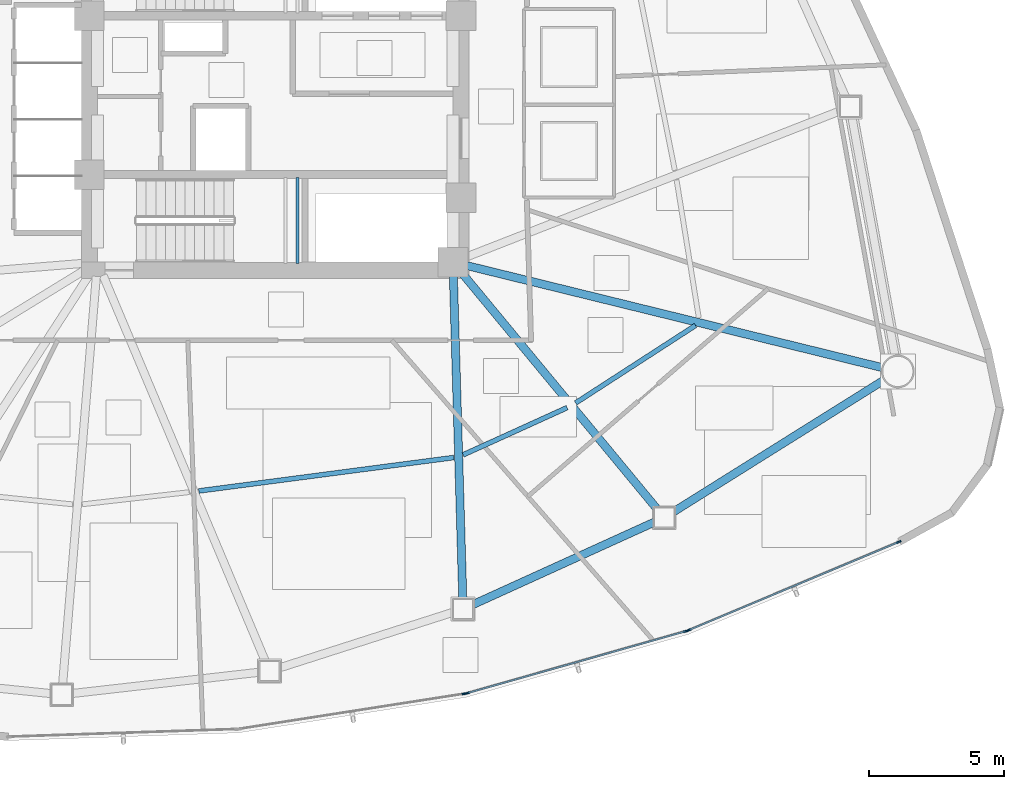
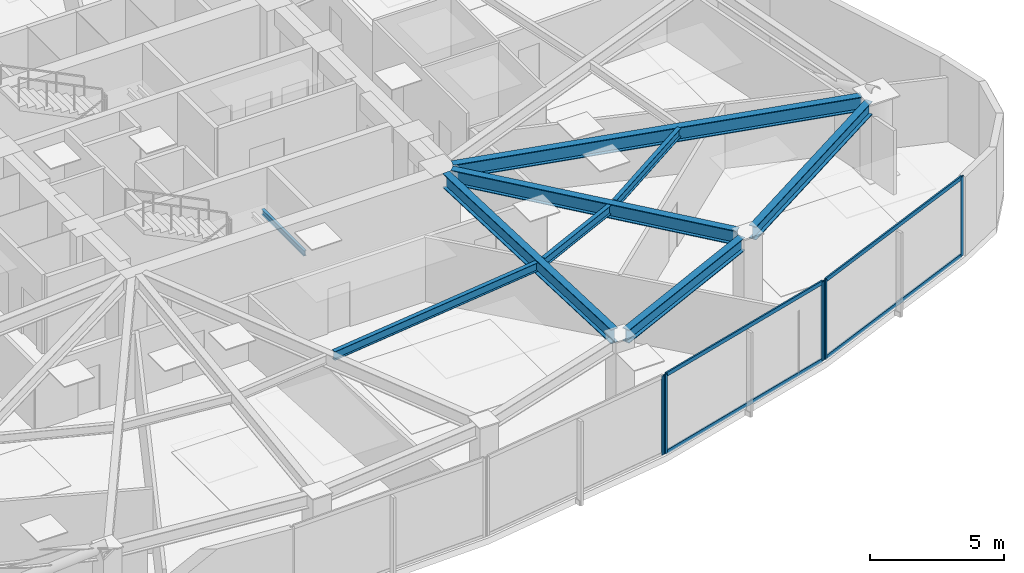
# One storey, part 6 of 18: 9 beams, 9 members, 3 elements without a shape of their own.
"""IFC4 building model written with IfcOpenShell, lengths in metres."""

from ifc_helpers import new_model, si_unit, direction, frame, origin, origin_2d, place, context, subcontext, project, spatial, hollow_rectangle, i_section, extrude, source, transform, mapped, material, layer, layer_set, material_profile, profile_set, type_object, type_shapes, element, aggregate, save


model = new_model("IFC4")

# Units and contexts
model_context = context("Model", 3, precision=1e-05, world=origin(), true_north=direction((0.0, 1.0)))
body_context = subcontext(model_context, "Body", "Model", "MODEL_VIEW")
ifc_project = project(units=[si_unit("LENGTHUNIT", "METRE"), si_unit("AREAUNIT", "SQUARE_METRE"), si_unit("VOLUMEUNIT", "CUBIC_METRE"), si_unit("PLANEANGLEUNIT", "RADIAN"), si_unit("MASSUNIT", "GRAM", prefix="KILO")], contexts=[model_context])

# Site, building, storey
site_placement = place(None, origin())
site = spatial("IfcSite", under=ifc_project, at=site_placement, CompositionType="ELEMENT")
building_placement = place(site_placement, origin())
building = spatial("IfcBuilding", under=site, at=building_placement, Name="Tavelor Broadcast Tower", CompositionType="ELEMENT")
storey_placement = place(building_placement, frame((0.0, 0.0, 47.10009765625)))
storey = spatial("IfcBuildingStorey", under=building, at=storey_placement, Name="L10", CompositionType="ELEMENT", Elevation=47.10009765625)

# Beams
ifc_material_1 = material(Name="Steel S355", Category="steel")
ifc_material_profile_1 = material_profile(ifc_material_1, i_section(OverallWidth=0.179931640625, OverallDepth=0.39990234375, WebThickness=0.008544921875, FlangeThickness=0.013427734375, at=origin_2d()), Name="IPE 400")
ifc_profile_set_1 = profile_set([ifc_material_profile_1], Name="Steel S355")
beam_type_1 = type_object("IfcBeamType", Name="Composite Floor Joist T1 IPE 400", PredefinedType="JOIST", material=ifc_profile_set_1)
beam_1_placement = place(storey_placement, frame((47.16259765625, 30.3056640625, 3.39990234375), z_axis=(0.991514230948, 0.129998191635, 0.0), x_axis=(-0.129998191635, 0.991514230948, 0.0)))
element("IfcBeam", 1, at=beam_1_placement, inside=storey, type_object=beam_type_1, Name="L10 Secondary Composite Floor Joist 10", PredefinedType="JOIST", context=body_context, shape_type="SweptSolid", body=[
    extrude(i_section(OverallWidth=0.179931640625, OverallDepth=0.39990234375, WebThickness=0.008544921875, FlangeThickness=0.013427734375, at=origin_2d()), origin(), (0.0, 0.0, 1.0), 9.5498046875),
])
beam_2_placement = place(storey_placement, frame((56.9755859375, 31.6455078125, 3.39990234375), z_axis=(0.910480737696, 0.413551479607, 0.0), x_axis=(-0.413551479607, 0.910480737696, 0.0)))
element("IfcBeam", 2, at=beam_2_placement, inside=storey, type_object=beam_type_1, Name="L10 Secondary Composite Floor Joist 11", PredefinedType="JOIST", context=body_context, shape_type="SweptSolid", body=[
    extrude(i_section(OverallWidth=0.179931640625, OverallDepth=0.39990234375, WebThickness=0.008544921875, FlangeThickness=0.013427734375, at=origin_2d()), origin(), (0.0, 0.0, 1.0), 4.242919921875),
])
beam_3_placement = place(storey_placement, frame((61.1552734375, 33.573486328125, 3.39990234375), z_axis=(0.839582514508, 0.543232179949, 0.0), x_axis=(-0.543232179949, 0.839582514508, 0.0)))
element("IfcBeam", 3, at=beam_3_placement, inside=storey, type_object=beam_type_1, Name="L10 Secondary Composite Floor Joist 12", PredefinedType="JOIST", context=body_context, shape_type="SweptSolid", body=[
    extrude(i_section(OverallWidth=0.179931640625, OverallDepth=0.39990234375, WebThickness=0.008544921875, FlangeThickness=0.013427734375, at=origin_2d()), origin(), (0.0, 0.0, 1.0), 5.300537109375),
])
ifc_material_profile_2 = material_profile(ifc_material_1, i_section(OverallWidth=0.300048828125, OverallDepth=0.60009765625, WebThickness=0.015380859375, FlangeThickness=0.030029296875, at=origin_2d()), Name="HEB 600")
ifc_profile_set_2 = profile_set([ifc_material_profile_2], Name="Steel S355")
beam_type_2 = type_object("IfcBeamType", Name="Perimeter Spandrel Beam T1 HEB 600", PredefinedType="SPANDREL", material=ifc_profile_set_2)
beam_4_placement = place(storey_placement, frame((57.324951171875, 26.080322265625, 3.2998046875), z_axis=(0.910424944341, 0.413674293039, 0.0), x_axis=(-0.413674293039, 0.910424944341, 0.0)))
element("IfcBeam", 4, at=beam_4_placement, inside=storey, type_object=beam_type_2, Name="L10 Framed-Tube Ring Spandrel 11", PredefinedType="SPANDREL", context=body_context, shape_type="SweptSolid", body=[
    extrude(i_section(OverallWidth=0.300048828125, OverallDepth=0.60009765625, WebThickness=0.015380859375, FlangeThickness=0.030029296875, at=origin_2d()), origin(), (0.0, 0.0, 1.0), 7.43505859375),
])
beam_5_placement = place(storey_placement, frame((64.76904296875, 29.518798828125, 3.2998046875), z_axis=(0.847667977469, 0.530527096361, 0.0), x_axis=(-0.530527096361, 0.847667977469, 0.0)))
element("IfcBeam", 5, at=beam_5_placement, inside=storey, type_object=beam_type_2, Name="L10 Framed-Tube Ring Spandrel 12", PredefinedType="SPANDREL", context=body_context, shape_type="SweptSolid", body=[
    extrude(i_section(OverallWidth=0.300048828125, OverallDepth=0.60009765625, WebThickness=0.015380859375, FlangeThickness=0.030029296875, at=origin_2d()), origin(), (0.0, 0.0, 1.0), 9.263916015625),
])
ifc_material_profile_3 = material_profile(ifc_material_1, i_section(OverallWidth=0.300048828125, OverallDepth=0.64990234375, WebThickness=0.01611328125, FlangeThickness=0.031005859375, at=origin_2d()), Name="HEB 650")
ifc_profile_set_3 = profile_set([ifc_material_profile_3], Name="Steel S355")
beam_type_3 = type_object("IfcBeamType", Name="Radial Floor Girder T1 HEB 650", PredefinedType="BEAM", material=ifc_profile_set_3)
beam_6_placement = place(storey_placement, frame((56.615478515625, 38.272216796875, 3.27490234375), z_axis=(0.02912098859, -0.999575894079, 0.0), x_axis=(0.999575894079, 0.02912098859, 0.0)))
element("IfcBeam", 6, at=beam_6_placement, inside=storey, type_object=beam_type_3, Name="L10 Radial Primary Floor Girder 11", PredefinedType="BEAM", context=body_context, shape_type="SweptSolid", body=[
    extrude(i_section(OverallWidth=0.300048828125, OverallDepth=0.64990234375, WebThickness=0.01611328125, FlangeThickness=0.031005859375, at=origin_2d()), origin(), (0.0, 0.0, 1.0), 11.971923828125),
])
beam_7_placement = place(storey_placement, frame((56.9365234375, 38.39306640625, 3.27490234375), z_axis=(0.63726338108, -0.770646081632, 0.0), x_axis=(0.770646081632, 0.63726338108, 0.0)))
element("IfcBeam", 7, at=beam_7_placement, inside=storey, type_object=beam_type_3, Name="L10 Radial Primary Floor Girder 12", PredefinedType="BEAM", context=body_context, shape_type="SweptSolid", body=[
    extrude(i_section(OverallWidth=0.300048828125, OverallDepth=0.64990234375, WebThickness=0.01611328125, FlangeThickness=0.031005859375, at=origin_2d()), origin(), (0.0, 0.0, 1.0), 11.39599609375),
])
beam_8_placement = place(storey_placement, frame((57.11279296875, 38.674072265625, 3.27490234375), z_axis=(0.971150402203, -0.23846780978, 0.0), x_axis=(0.23846780978, 0.971150402203, 0.0)))
element("IfcBeam", 8, at=beam_8_placement, inside=storey, type_object=beam_type_3, Name="L10 Radial Primary Floor Girder 13", PredefinedType="BEAM", context=body_context, shape_type="SweptSolid", body=[
    extrude(i_section(OverallWidth=0.300048828125, OverallDepth=0.64990234375, WebThickness=0.01611328125, FlangeThickness=0.031005859375, at=origin_2d()), origin(), (0.0, 0.0, 1.0), 15.895263671875),
])
ifc_material_profile_4 = material_profile(ifc_material_1, i_section(OverallWidth=0.1201171875, OverallDepth=0.239990234375, WebThickness=0.006103515625, FlangeThickness=0.009765625, at=origin_2d()), Name="IPE 240")
ifc_profile_set_4 = profile_set([ifc_material_profile_4], Name="Steel S355")
beam_type_4 = type_object("IfcBeamType", Name="Stairwell Landing Support Trimmer Beam IPE240", PredefinedType="BEAM", material=ifc_profile_set_4)
beam_9_placement = place(storey_placement, frame((50.824951171875, 38.760009765625, 1.635009765625), z_axis=(0.0, 1.0, 0.0), x_axis=(-1.0, 0.0, 0.0)))
element("IfcBeam", 9, at=beam_9_placement, inside=storey, type_object=beam_type_4, Name="L10 Stair Landing Support Beam 260", PredefinedType="BEAM", context=body_context, shape_type="SweptSolid", body=[
    extrude(i_section(OverallWidth=0.1201171875, OverallDepth=0.239990234375, WebThickness=0.006103515625, FlangeThickness=0.009765625, at=origin_2d()), origin(), (0.0, 0.0, 1.0), 3.179931640625),
])

# Curtain wall, member
ifc_material_2 = material(Name="Architectural Anodized Aluminium", Category="aluminium")
ifc_layer = layer(ifc_material_2, 0.179931640625)
ifc_layer_set = layer_set([ifc_layer], Name="Architectural Anodized Aluminium")
curtain_wall_type = type_object("IfcCurtainWallType", Name="Tower Low-Zone Unitised Curtain Wall CW02", PredefinedType="NOTDEFINED", material=ifc_layer_set)
curtain_wall_1_placement = place(storey_placement, origin())
curtain_wall_1 = element("IfcCurtainWall", 10, at=curtain_wall_1_placement, inside=storey, type_object=curtain_wall_type, Name="L10 Curtain Wall CW02 Run 78", PredefinedType="NOTDEFINED")
ifc_material_profile_5 = material_profile(ifc_material_2, hollow_rectangle(XDim=0.06494140625, YDim=0.179931640625, WallThickness=0.02197265625, at=origin_2d()), Name="RHS 65x180x22")
ifc_profile_set_5 = profile_set([ifc_material_profile_5], Name="Architectural Anodized Aluminium")
member_type_1 = type_object("IfcMemberType", Name="CW02 Extruded Aluminium Mullion 65x180", PredefinedType="MULLION", material=ifc_profile_set_5)
shared_shape_1 = source(origin(), body_context, "Body", "SweptSolid", [
    extrude(hollow_rectangle(XDim=0.06494140625, YDim=0.179931640625, WallThickness=0.02197265625, at=origin_2d()), origin(), (0.0, 0.0, 1.0), 3.599853515625),
])
type_shapes(member_type_1, [shared_shape_1])
member_1_placement = place(storey_placement, frame((57.02587890625, 22.774658203125, 0.0), z_axis=(0.0, 0.0, 1.0), x_axis=(-0.154288089461, 0.988025903229, 0.0)))
member_1 = element("IfcMember", 11, at=member_1_placement, type_object=member_type_1, Name="CW02 mullion 2", PredefinedType="MULLION", context=body_context, shape_type="MappedRepresentation", body=[
    mapped(shared_shape_1, transform((0.0, 0.0, 0.0), scale=1.0)),
])
aggregate(curtain_wall_1, [member_1])

# Curtain wall, members
curtain_wall_2_placement = place(storey_placement, origin())
curtain_wall_2 = element("IfcCurtainWall", 12, at=curtain_wall_2_placement, inside=storey, type_object=curtain_wall_type, Name="L10 Curtain Wall CW02 Run 79", PredefinedType="NOTDEFINED")
member_2_placement = place(storey_placement, frame((57.11865234375, 22.794921875, 0.0), z_axis=(0.0, 0.0, 1.0), x_axis=(-0.272722440791, 0.962092755554, 0.0)))
member_2 = element("IfcMember", 13, at=member_2_placement, type_object=member_type_1, Name="CW02 mullion 1", PredefinedType="MULLION", context=body_context, shape_type="MappedRepresentation", body=[
    mapped(shared_shape_1, transform((0.0, 0.0, 0.0), scale=1.0)),
])
member_3_placement = place(storey_placement, frame((65.25341796875, 25.100830078125, 0.0), z_axis=(0.0, 0.0, 1.0), x_axis=(-0.272722440791, 0.962092755554, 0.0)))
member_3 = element("IfcMember", 14, at=member_3_placement, type_object=member_type_1, Name="CW02 mullion 2", PredefinedType="MULLION", context=body_context, shape_type="MappedRepresentation", body=[
    mapped(shared_shape_1, transform((0.0, 0.0, 0.0), scale=1.0)),
])

curtain_wall_3_placement = place(storey_placement, origin())
curtain_wall_3 = element("IfcCurtainWall", 15, at=curtain_wall_3_placement, inside=storey, type_object=curtain_wall_type, Name="L10 Curtain Wall CW02 Run 80", PredefinedType="NOTDEFINED")
member_4_placement = place(storey_placement, frame((65.343017578125, 25.13232421875, 0.0), z_axis=(0.0, 0.0, 1.0), x_axis=(-0.387137680786, 0.922021917373, 0.0)))
member_4 = element("IfcMember", 16, at=member_4_placement, type_object=member_type_1, Name="CW02 mullion 1", PredefinedType="MULLION", context=body_context, shape_type="MappedRepresentation", body=[
    mapped(shared_shape_1, transform((0.0, 0.0, 0.0), scale=1.0)),
])
member_5_placement = place(storey_placement, frame((73.153564453125, 28.411865234375, 0.0), z_axis=(0.0, 0.0, 1.0), x_axis=(-0.387137680786, 0.922021917373, 0.0)))
member_5 = element("IfcMember", 17, at=member_5_placement, type_object=member_type_1, Name="CW02 mullion 2", PredefinedType="MULLION", context=body_context, shape_type="MappedRepresentation", body=[
    mapped(shared_shape_1, transform((0.0, 0.0, 0.0), scale=1.0)),
])

# Member
ifc_material_profile_6 = material_profile(ifc_material_2, hollow_rectangle(XDim=0.06494140625, YDim=0.179931640625, WallThickness=0.02197265625, at=origin_2d()), Name="RHS 65x180x22")
ifc_profile_set_6 = profile_set([ifc_material_profile_6], Name="Architectural Anodized Aluminium")
member_type_2 = type_object("IfcMemberType", Name="CW02 Extruded Aluminium Transom 65x180", PredefinedType="USERDEFINED", material=ifc_profile_set_6)
shared_shape_2 = source(origin(), body_context, "Body", "SweptSolid", [
    extrude(hollow_rectangle(XDim=0.06494140625, YDim=0.179931640625, WallThickness=0.02197265625, at=origin_2d()), origin(), (0.0, 0.0, 1.0), 8.390380859375),
])
member_6_placement = place(storey_placement, frame((57.14990234375, 22.8037109375, 0.032470703125), z_axis=(0.962089576355, 0.272733655915, 0.0), x_axis=(-0.272733655915, 0.962089576355, 0.0)))
member_6 = element("IfcMember", 18, at=member_6_placement, type_object=member_type_2, Name="CW02 transom 1.1", ObjectType="TRANSOM", PredefinedType="USERDEFINED", context=body_context, shape_type="MappedRepresentation", body=[
    mapped(shared_shape_2, transform((0.0, 0.0, 0.0), scale=1.0)),
])

member_7_placement = place(storey_placement, frame((57.14990234375, 22.8037109375, 3.5673828125), z_axis=(0.962089576355, 0.272733655915, 0.0), x_axis=(-0.272733655915, 0.962089576355, 0.0)))
member_7 = element("IfcMember", 19, at=member_7_placement, type_object=member_type_2, Name="CW02 transom 1.2", ObjectType="TRANSOM", PredefinedType="USERDEFINED", context=body_context, shape_type="MappedRepresentation", body=[
    mapped(shared_shape_2, transform((0.0, 0.0, 0.0), scale=1.0)),
])

aggregate(curtain_wall_2, [member_2, member_3, member_6, member_7])

shared_shape_3 = source(origin(), body_context, "Body", "SweptSolid", [
    extrude(hollow_rectangle(XDim=0.06494140625, YDim=0.179931640625, WallThickness=0.02197265625, at=origin_2d()), origin(), (0.0, 0.0, 1.0), 8.40625),
])
type_shapes(member_type_2, [shared_shape_2, shared_shape_3])
member_8_placement = place(storey_placement, frame((65.373046875, 25.144775390625, 0.032470703125), z_axis=(0.922020880639, 0.387140149901, 0.0), x_axis=(-0.387140149901, 0.922020880639, 0.0)))
member_8 = element("IfcMember", 20, at=member_8_placement, type_object=member_type_2, Name="CW02 transom 1.1", ObjectType="TRANSOM", PredefinedType="USERDEFINED", context=body_context, shape_type="MappedRepresentation", body=[
    mapped(shared_shape_3, transform((0.0, 0.0, 0.0), scale=1.0)),
])

member_9_placement = place(storey_placement, frame((65.373046875, 25.144775390625, 3.5673828125), z_axis=(0.922020880639, 0.387140149901, 0.0), x_axis=(-0.387140149901, 0.922020880639, 0.0)))
member_9 = element("IfcMember", 21, at=member_9_placement, type_object=member_type_2, Name="CW02 transom 1.2", ObjectType="TRANSOM", PredefinedType="USERDEFINED", context=body_context, shape_type="MappedRepresentation", body=[
    mapped(shared_shape_3, transform((0.0, 0.0, 0.0), scale=1.0)),
])

aggregate(curtain_wall_3, [member_4, member_5, member_8, member_9])

save(model, "model.ifc")
